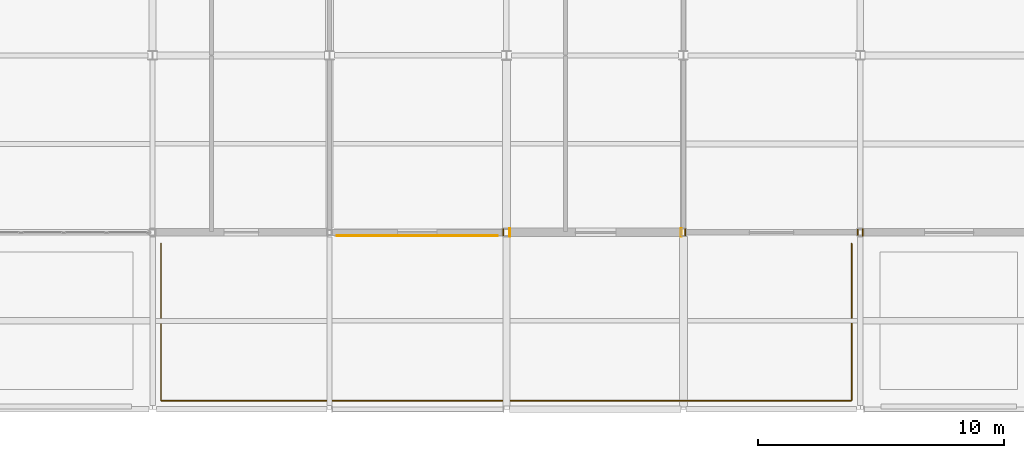
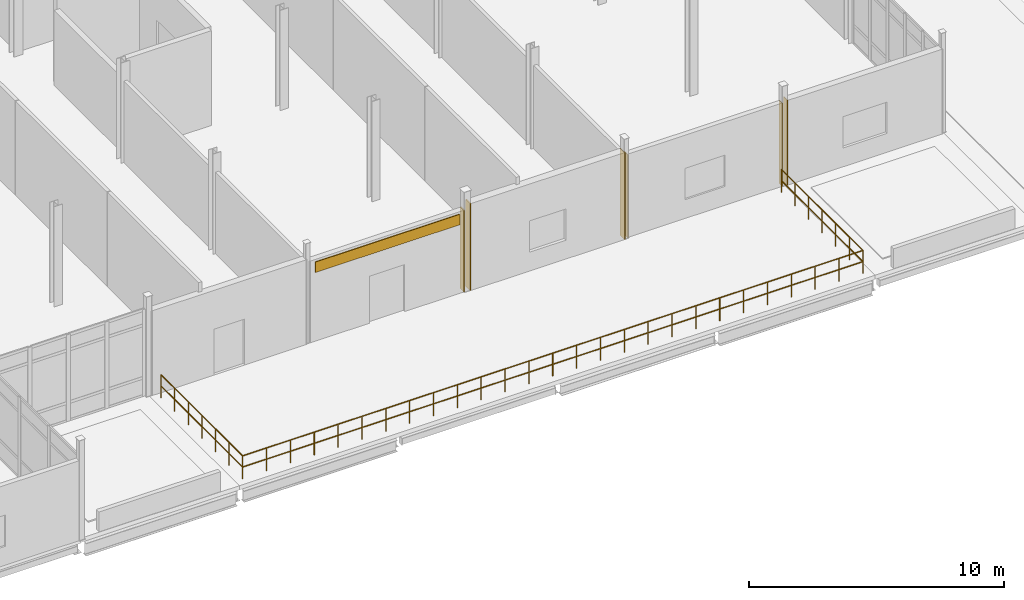
# One storey, part 183 of 186: 7 coverings, 1 railing.
"""IFC4 building model written with IfcOpenShell, lengths in metres."""

from ifc_helpers import new_model, si_unit, direction, frame, origin, origin_2d, place, context, subcontext, project, spatial, polyline, rectangle, circle, outline, extrude, material, layer, layer_set, type_object, element, save


model = new_model("IFC4")

# Units and contexts
model_context = context("Model", 3, precision=1e-05, world=origin(), true_north=direction((0.0, 1.0)))
body_context = subcontext(model_context, "Body", "Model", "MODEL_VIEW")
ifc_project = project(units=[si_unit("LENGTHUNIT", "METRE"), si_unit("AREAUNIT", "SQUARE_METRE"), si_unit("VOLUMEUNIT", "CUBIC_METRE"), si_unit("PLANEANGLEUNIT", "RADIAN"), si_unit("MASSUNIT", "GRAM", prefix="KILO")], contexts=[model_context])

# Site, building, storey
site_placement = place(None, origin())
site = spatial("IfcSite", under=ifc_project, at=site_placement, CompositionType="ELEMENT")
building_placement = place(site_placement, origin())
building = spatial("IfcBuilding", under=site, at=building_placement, Name="Calvrana Isthmian Art Gallery", CompositionType="ELEMENT")
storey_placement = place(building_placement, frame((0.0, 0.0, 5.39990234375)))
storey = spatial("IfcBuildingStorey", under=building, at=storey_placement, Name="L01", CompositionType="ELEMENT", Elevation=5.39990234375)

# Coverings
ifc_material_1 = material(Name="Polychrome glazed terracotta", Category="masonry")
ifc_layer = layer(ifc_material_1, 0.0400390625, Name="Polychrome glazed terracotta")
ifc_layer_set = layer_set([ifc_layer], Name="Polychrome glazed terracotta")
covering_type = type_object("IfcCoveringType", Name="COV-CLAD-TERRA", PredefinedType="CLADDING", material=ifc_layer_set)
covering_1_placement = place(storey_placement, origin())
element("IfcCovering", 1, at=covering_1_placement, inside=storey, type_object=covering_type, Name="Column pocket weather closure L01-16-01-E", PredefinedType="CLADDING", context=body_context, shape_type="SweptSolid", body=[
    extrude(outline(polyline([(134.24755859375, 7.052490234375), (134.28759765625, 7.052490234375), (134.28759765625, 7.347412109375), (134.24755859375, 7.347412109375), (134.24755859375, 7.052490234375)])), origin(), (0.0, 0.0, 1.0), 3.9130859375),
])
covering_2_placement = place(storey_placement, frame((130.774658203125, 7.056884765625, 3.31298828125), z_axis=(0.0, 0.0, 1.0), x_axis=(-1.0, 0.0, 0.0)))
element("IfcCovering", 2, at=covering_2_placement, inside=storey, type_object=covering_type, Name="Terracotta spandrel cladding 060", PredefinedType="CLADDING", context=body_context, shape_type="SweptSolid", body=[
    extrude(rectangle(XDim=6.5458984375, YDim=0.0400390625, at=origin_2d()), origin(), (0.0, 0.0, 1.0), 0.5),
])
covering_3_placement = place(storey_placement, origin())
element("IfcCovering", 3, at=covering_3_placement, inside=storey, type_object=covering_type, Name="Column pocket weather closure L01-17-01-W", PredefinedType="CLADDING", context=body_context, shape_type="SweptSolid", body=[
    extrude(outline(polyline([(134.512451171875, 7.02490234375), (134.552490234375, 7.02490234375), (134.552490234375, 7.375), (134.512451171875, 7.375), (134.512451171875, 7.02490234375)])), origin(), (0.0, 0.0, 1.0), 4.1640625),
])
covering_4_placement = place(storey_placement, origin())
element("IfcCovering", 4, at=covering_4_placement, inside=storey, type_object=covering_type, Name="Column pocket weather closure L01-17-01-E", PredefinedType="CLADDING", context=body_context, shape_type="SweptSolid", body=[
    extrude(outline(polyline([(141.498291015625, 7.02490234375), (141.538330078125, 7.02490234375), (141.538330078125, 7.375), (141.498291015625, 7.375), (141.498291015625, 7.02490234375)])), origin(), (0.0, 0.0, 1.0), 4.1640625),
])
covering_5_placement = place(storey_placement, origin())
element("IfcCovering", 5, at=covering_5_placement, inside=storey, type_object=covering_type, Name="Column pocket weather closure L01-18-01-W", PredefinedType="CLADDING", context=body_context, shape_type="SweptSolid", body=[
    extrude(outline(polyline([(141.66162109375, 7.052490234375), (141.70166015625, 7.052490234375), (141.70166015625, 7.347412109375), (141.66162109375, 7.347412109375), (141.66162109375, 7.052490234375)])), origin(), (0.0, 0.0, 1.0), 3.987060546875),
])
covering_6_placement = place(storey_placement, origin())
element("IfcCovering", 6, at=covering_6_placement, inside=storey, type_object=covering_type, Name="Column pocket weather closure L01-18-01-E", PredefinedType="CLADDING", context=body_context, shape_type="SweptSolid", body=[
    extrude(outline(polyline([(148.673095703125, 7.077880859375), (148.712890625, 7.077880859375), (148.712890625, 7.322021484375), (148.673095703125, 7.322021484375), (148.673095703125, 7.077880859375)])), origin(), (0.0, 0.0, 1.0), 3.987060546875),
])
covering_7_placement = place(storey_placement, origin())
element("IfcCovering", 7, at=covering_7_placement, inside=storey, type_object=covering_type, Name="Column pocket weather closure L01-19-01-W", PredefinedType="CLADDING", context=body_context, shape_type="SweptSolid", body=[
    extrude(outline(polyline([(148.886962890625, 7.050048828125), (148.927001953125, 7.050048828125), (148.927001953125, 7.35009765625), (148.886962890625, 7.35009765625), (148.886962890625, 7.050048828125)])), origin(), (0.0, 0.0, 1.0), 4.05810546875),
])

# Railing
ifc_material_2 = material(Name="Anodized bronze aluminium 6063-T6", Category="aluminium")
railing_type = type_object("IfcRailingType", Name="RL-BAL-1120", PredefinedType="BALUSTRADE", material=ifc_material_2)
railing_placement = place(storey_placement, frame((120.35009765625, 6.75, 0.0)))
element("IfcRailing", 8, at=railing_placement, inside=storey, type_object=railing_type, Name="Terrace balustrade GR-T02", PredefinedType="BALUSTRADE", context=body_context, shape_type="SweptSolid", body=[
    extrude(circle(Radius=0.02392578125, at=origin_2d()), frame((0.0, 0.0, 1.09619140625), z_axis=(0.0, -1.0, 0.0), x_axis=(1.0, 0.0, 0.0)), (0.0, 0.0, 1.0), 6.39990234375),
    extrude(circle(Radius=0.02392578125, at=origin_2d()), frame((0.0, 0.0, 0.56005859375), z_axis=(0.0, -1.0, 0.0), x_axis=(1.0, 0.0, 0.0)), (0.0, 0.0, 1.0), 6.39990234375),
    extrude(circle(Radius=0.02392578125, at=origin_2d()), frame((0.0, -6.39990234375, 1.09619140625), z_axis=(1.0, 0.0, 0.0), x_axis=(0.0, 1.0, 0.0)), (0.0, 0.0, 1.0), 28.099853515625),
    extrude(circle(Radius=0.02392578125, at=origin_2d()), frame((0.0, -6.39990234375, 0.56005859375), z_axis=(1.0, 0.0, 0.0), x_axis=(0.0, 1.0, 0.0)), (0.0, 0.0, 1.0), 28.099853515625),
    extrude(circle(Radius=0.02392578125, at=origin_2d()), frame((28.099853515625, -6.39990234375, 1.09619140625), z_axis=(0.0, 1.0, 0.0), x_axis=(-1.0, 0.0, 0.0)), (0.0, 0.0, 1.0), 6.39990234375),
    extrude(circle(Radius=0.02392578125, at=origin_2d()), frame((28.099853515625, -6.39990234375, 0.56005859375), z_axis=(0.0, 1.0, 0.0), x_axis=(-1.0, 0.0, 0.0)), (0.0, 0.0, 1.0), 6.39990234375),
    extrude(circle(Radius=0.02099609375, at=origin_2d()), origin(), (0.0, 0.0, 1.0), 1.072021484375),
    extrude(circle(Radius=0.02099609375, at=origin_2d()), frame((0.0, -1.066650390625, 0.0)), (0.0, 0.0, 1.0), 1.072021484375),
    extrude(circle(Radius=0.02099609375, at=origin_2d()), frame((0.0, -2.13330078125, 0.0)), (0.0, 0.0, 1.0), 1.072021484375),
    extrude(circle(Radius=0.02099609375, at=origin_2d()), frame((0.0, -3.199951171875, 0.0)), (0.0, 0.0, 1.0), 1.072021484375),
    extrude(circle(Radius=0.02099609375, at=origin_2d()), frame((0.0, -4.2666015625, 0.0)), (0.0, 0.0, 1.0), 1.072021484375),
    extrude(circle(Radius=0.02099609375, at=origin_2d()), frame((0.0, -5.333251953125, 0.0)), (0.0, 0.0, 1.0), 1.072021484375),
    extrude(circle(Radius=0.02099609375, at=origin_2d()), frame((0.0, -6.39990234375, 0.0)), (0.0, 0.0, 1.0), 1.072021484375),
    extrude(circle(Radius=0.02099609375, at=origin_2d()), frame((1.080810546875, -6.39990234375, 0.0)), (0.0, 0.0, 1.0), 1.072021484375),
    extrude(circle(Radius=0.02099609375, at=origin_2d()), frame((2.16162109375, -6.39990234375, 0.0)), (0.0, 0.0, 1.0), 1.072021484375),
    extrude(circle(Radius=0.02099609375, at=origin_2d()), frame((3.2421875, -6.39990234375, 0.0)), (0.0, 0.0, 1.0), 1.072021484375),
    extrude(circle(Radius=0.02099609375, at=origin_2d()), frame((4.322998046875, -6.39990234375, 0.0)), (0.0, 0.0, 1.0), 1.072021484375),
    extrude(circle(Radius=0.02099609375, at=origin_2d()), frame((5.40380859375, -6.39990234375, 0.0)), (0.0, 0.0, 1.0), 1.072021484375),
    extrude(circle(Radius=0.02099609375, at=origin_2d()), frame((6.484619140625, -6.39990234375, 0.0)), (0.0, 0.0, 1.0), 1.072021484375),
    extrude(circle(Radius=0.02099609375, at=origin_2d()), frame((7.5654296875, -6.39990234375, 0.0)), (0.0, 0.0, 1.0), 1.072021484375),
    extrude(circle(Radius=0.02099609375, at=origin_2d()), frame((8.64599609375, -6.39990234375, 0.0)), (0.0, 0.0, 1.0), 1.072021484375),
    extrude(circle(Radius=0.02099609375, at=origin_2d()), frame((9.726806640625, -6.39990234375, 0.0)), (0.0, 0.0, 1.0), 1.072021484375),
    extrude(circle(Radius=0.02099609375, at=origin_2d()), frame((10.8076171875, -6.39990234375, 0.0)), (0.0, 0.0, 1.0), 1.072021484375),
    extrude(circle(Radius=0.02099609375, at=origin_2d()), frame((11.888427734375, -6.39990234375, 0.0)), (0.0, 0.0, 1.0), 1.072021484375),
    extrude(circle(Radius=0.02099609375, at=origin_2d()), frame((12.96923828125, -6.39990234375, 0.0)), (0.0, 0.0, 1.0), 1.072021484375),
    extrude(circle(Radius=0.02099609375, at=origin_2d()), frame((14.0498046875, -6.39990234375, 0.0)), (0.0, 0.0, 1.0), 1.072021484375),
    extrude(circle(Radius=0.02099609375, at=origin_2d()), frame((15.130615234375, -6.39990234375, 0.0)), (0.0, 0.0, 1.0), 1.072021484375),
    extrude(circle(Radius=0.02099609375, at=origin_2d()), frame((16.21142578125, -6.39990234375, 0.0)), (0.0, 0.0, 1.0), 1.072021484375),
    extrude(circle(Radius=0.02099609375, at=origin_2d()), frame((17.292236328125, -6.39990234375, 0.0)), (0.0, 0.0, 1.0), 1.072021484375),
    extrude(circle(Radius=0.02099609375, at=origin_2d()), frame((18.373046875, -6.39990234375, 0.0)), (0.0, 0.0, 1.0), 1.072021484375),
    extrude(circle(Radius=0.02099609375, at=origin_2d()), frame((19.453857421875, -6.39990234375, 0.0)), (0.0, 0.0, 1.0), 1.072021484375),
    extrude(circle(Radius=0.02099609375, at=origin_2d()), frame((20.534423828125, -6.39990234375, 0.0)), (0.0, 0.0, 1.0), 1.072021484375),
    extrude(circle(Radius=0.02099609375, at=origin_2d()), frame((21.615234375, -6.39990234375, 0.0)), (0.0, 0.0, 1.0), 1.072021484375),
    extrude(circle(Radius=0.02099609375, at=origin_2d()), frame((22.696044921875, -6.39990234375, 0.0)), (0.0, 0.0, 1.0), 1.072021484375),
    extrude(circle(Radius=0.02099609375, at=origin_2d()), frame((23.77685546875, -6.39990234375, 0.0)), (0.0, 0.0, 1.0), 1.072021484375),
    extrude(circle(Radius=0.02099609375, at=origin_2d()), frame((24.857666015625, -6.39990234375, 0.0)), (0.0, 0.0, 1.0), 1.072021484375),
    extrude(circle(Radius=0.02099609375, at=origin_2d()), frame((25.938232421875, -6.39990234375, 0.0)), (0.0, 0.0, 1.0), 1.072021484375),
    extrude(circle(Radius=0.02099609375, at=origin_2d()), frame((27.01904296875, -6.39990234375, 0.0)), (0.0, 0.0, 1.0), 1.072021484375),
    extrude(circle(Radius=0.02099609375, at=origin_2d()), frame((28.099853515625, -6.39990234375, 0.0)), (0.0, 0.0, 1.0), 1.072021484375),
    extrude(circle(Radius=0.02099609375, at=origin_2d()), frame((28.099853515625, -5.333251953125, 0.0)), (0.0, 0.0, 1.0), 1.072021484375),
    extrude(circle(Radius=0.02099609375, at=origin_2d()), frame((28.099853515625, -4.2666015625, 0.0)), (0.0, 0.0, 1.0), 1.072021484375),
    extrude(circle(Radius=0.02099609375, at=origin_2d()), frame((28.099853515625, -3.199951171875, 0.0)), (0.0, 0.0, 1.0), 1.072021484375),
    extrude(circle(Radius=0.02099609375, at=origin_2d()), frame((28.099853515625, -2.13330078125, 0.0)), (0.0, 0.0, 1.0), 1.072021484375),
    extrude(circle(Radius=0.02099609375, at=origin_2d()), frame((28.099853515625, -1.066650390625, 0.0)), (0.0, 0.0, 1.0), 1.072021484375),
    extrude(circle(Radius=0.02099609375, at=origin_2d()), frame((28.099853515625, 0.0, 0.0)), (0.0, 0.0, 1.0), 1.072021484375),
])

save(model, "model.ifc")
